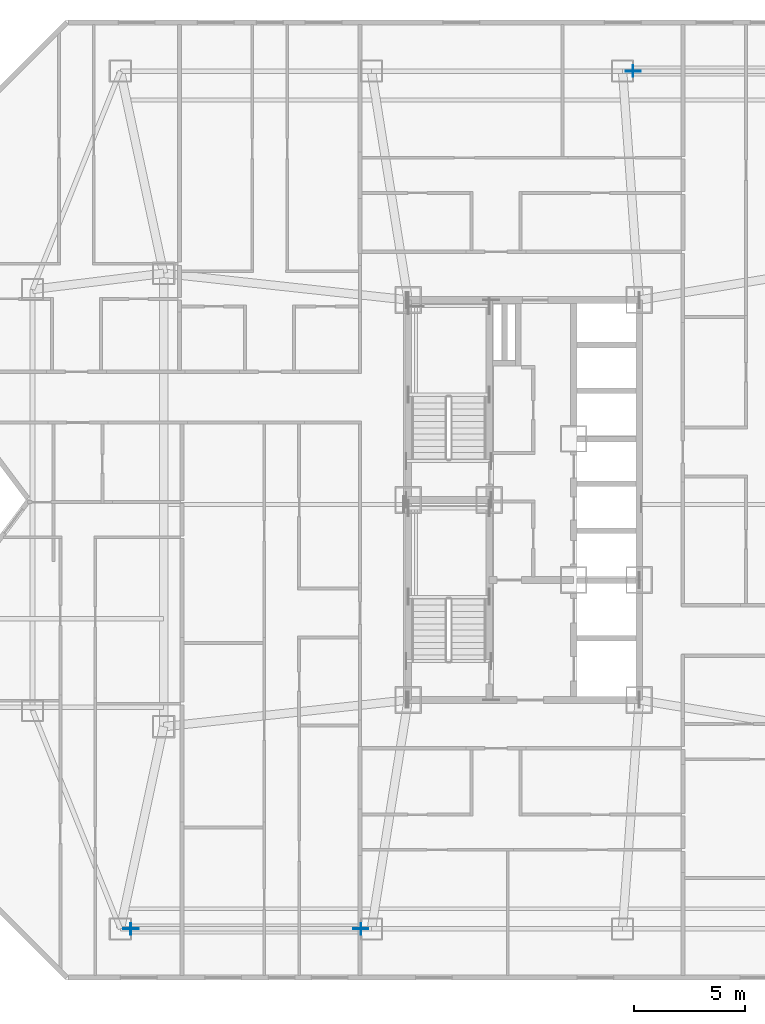
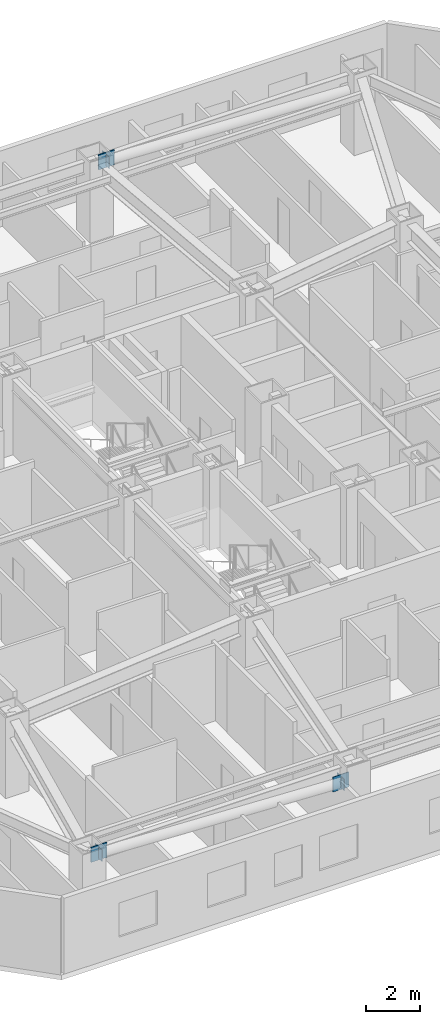
# One storey, part 9 of 18: 6 plates.
"""IFC4 building model written with IfcOpenShell, lengths in metres."""

from ifc_helpers import new_model, si_unit, direction, frame, origin, origin_2d, place, context, subcontext, project, spatial, rectangle, extrude, material, layer, layer_set, type_object, element, save


model = new_model("IFC4")

# Units and contexts
model_context = context("Model", 3, precision=1e-05, world=origin(), true_north=direction((0.0, 1.0)))
body_context = subcontext(model_context, "Body", "Model", "MODEL_VIEW")
ifc_project = project(units=[si_unit("LENGTHUNIT", "METRE"), si_unit("AREAUNIT", "SQUARE_METRE"), si_unit("VOLUMEUNIT", "CUBIC_METRE"), si_unit("PLANEANGLEUNIT", "RADIAN"), si_unit("MASSUNIT", "GRAM", prefix="KILO")], contexts=[model_context])

# Site, building, storey
site_placement = place(None, origin())
site = spatial("IfcSite", under=ifc_project, at=site_placement, CompositionType="ELEMENT")
building_placement = place(site_placement, origin())
building = spatial("IfcBuilding", under=site, at=building_placement, Name="Khamvora Tower", CompositionType="ELEMENT")
storey_placement = place(building_placement, frame((0.0, 0.0, 109.199951171875)))
storey = spatial("IfcBuildingStorey", under=building, at=storey_placement, Name="L27", CompositionType="ELEMENT", Elevation=109.199951171875)

# Plates
ifc_material_1 = material(Name="Steel S355", Category="steel")
ifc_layer_1 = layer(ifc_material_1, 0.02490234375)
ifc_layer_set_1 = layer_set([ifc_layer_1], Name="Steel S355")
plate_type_1 = type_object("IfcPlateType", Name="PL-CAP-25", PredefinedType="SHEET", material=ifc_layer_set_1)
for number, where, z_axis, x_axis, name in (
    (1, (26.882080078125, 8.699951171875, 2.4404296875), (0.0, 0.0, 1.0), (-1.0, 0.0, 0.0), "L27 hollow section steel end cap plate 0752"),
    (2, (16.51806640625, 8.699951171875, 2.883544921875), (0.0, 0.0, 1.0), (-1.0, 0.0, 0.0), "L27 hollow section steel end cap plate 0753"),
    (3, (39.117919921875, 47.300048828125, 2.883544921875), (0.0, 0.0, 1.0), (-1.0, 0.0, 0.0), "L27 hollow section steel end cap plate 0755"),
):
    element("IfcPlate", number, at=place(storey_placement, frame(where, z_axis=z_axis, x_axis=x_axis)), inside=storey, type_object=plate_type_1, Name=name, PredefinedType="SHEET", context=body_context, shape_type="SweptSolid", body=[
        extrude(rectangle(XDim=0.02490234375, YDim=0.51708984375, at=origin_2d()), origin(), (0.0, 0.0, 1.0), 0.51708984375),
    ])
ifc_material_2 = material(Name="Steel S460", Category="steel")
ifc_layer_2 = layer(ifc_material_2, 0.0400390625)
ifc_layer_set_2 = layer_set([ifc_layer_2], Name="Steel S460")
plate_type_2 = type_object("IfcPlateType", Name="PLT-GUS-40", PredefinedType="SHEET", material=ifc_layer_set_2)
for number, where, z_axis, x_axis, name in (
    (4, (26.8701171875, 8.699951171875, 2.35986328125), (0.0, 0.0, 1.0), (1.0, 0.0, 0.0), "L27 brace connection node gusset plate 0185"),
    (5, (16.530029296875, 8.699951171875, 2.80126953125), (0.0, 0.0, 1.0), (1.0, 0.0, 0.0), "L27 brace connection node gusset plate 0186"),
    (6, (39.1298828125, 47.300048828125, 2.80126953125), (0.0, 0.0, 1.0), (1.0, 0.0, 0.0), "L27 brace connection node gusset plate 0188"),
):
    element("IfcPlate", number, at=place(storey_placement, frame(where, z_axis=z_axis, x_axis=x_axis)), inside=storey, type_object=plate_type_2, Name=name, PredefinedType="SHEET", context=body_context, shape_type="SweptSolid", body=[
        extrude(rectangle(XDim=0.679931640625, YDim=0.0400390625, at=origin_2d()), origin(), (0.0, 0.0, 1.0), 0.679931640625),
    ])

save(model, "model.ifc")
